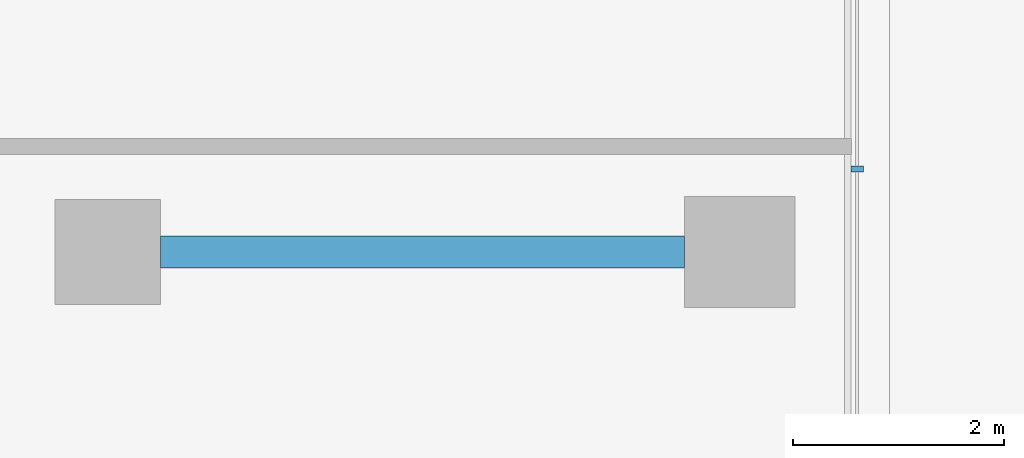
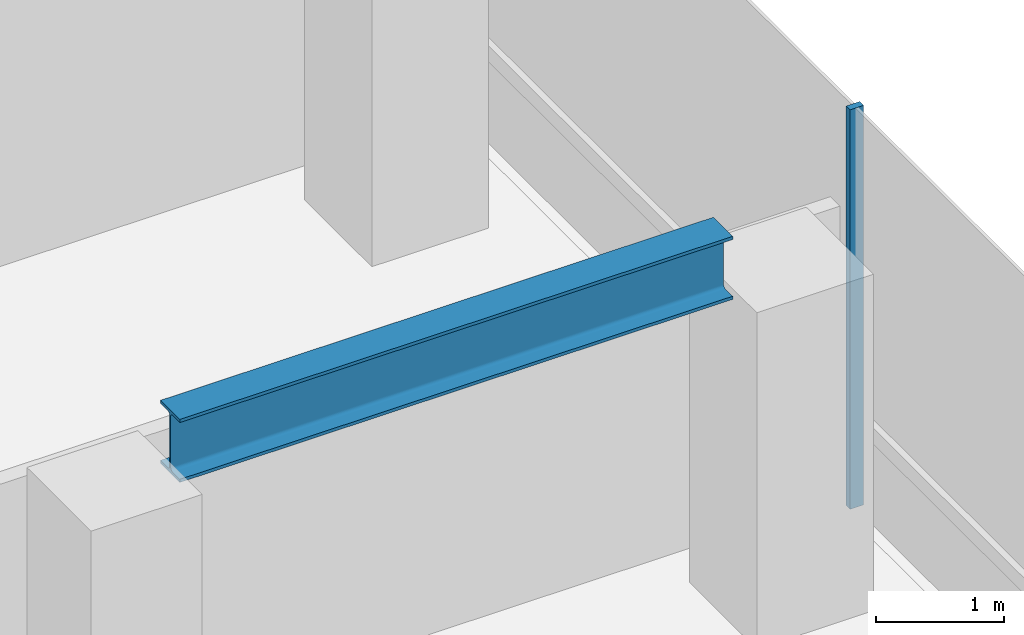
# One storey, part 16 of 30: 1 beam, 1 member, 1 element without a shape of its own.
"""IFC4 building model written with IfcOpenShell, lengths in metres."""

from ifc_helpers import new_model, si_unit, direction, frame, origin, origin_2d, place, context, subcontext, project, spatial, rectangle, i_section, extrude, material, layer, layer_set, material_profile, profile_set, type_object, element, aggregate, save


model = new_model("IFC4")

# Units and contexts
model_context = context("Model", 3, precision=1e-05, world=origin(), true_north=direction((0.0, 1.0)))
body_context = subcontext(model_context, "Body", "Model", "MODEL_VIEW")
ifc_project = project(units=[si_unit("LENGTHUNIT", "METRE"), si_unit("AREAUNIT", "SQUARE_METRE"), si_unit("VOLUMEUNIT", "CUBIC_METRE"), si_unit("PLANEANGLEUNIT", "RADIAN"), si_unit("MASSUNIT", "GRAM", prefix="KILO")], contexts=[model_context])

# Site, building, storey
site_placement = place(None, origin())
site = spatial("IfcSite", under=ifc_project, at=site_placement, CompositionType="ELEMENT")
building_placement = place(site_placement, origin())
building = spatial("IfcBuilding", under=site, at=building_placement, Name="Welwitschia Terrace Campus", CompositionType="ELEMENT")
storey_placement = place(building_placement, frame((0.0, 0.0, 75.199951171875)))
storey = spatial("IfcBuildingStorey", under=building, at=storey_placement, Name="L17", CompositionType="ELEMENT", Elevation=75.199951171875)

# Curtain wall, member
ifc_material_1 = material(Name="Bronze anodised aluminium", Category="aluminium")
ifc_layer = layer(ifc_material_1, 0.1201171875)
ifc_layer_set = layer_set([ifc_layer], Name="Bronze anodised aluminium")
curtain_wall_type = type_object("IfcCurtainWallType", Name="Curtain wall CW2 tower 6000", PredefinedType="NOTDEFINED", material=ifc_layer_set)
curtain_wall_placement = place(storey_placement, origin())
curtain_wall = element("IfcCurtainWall", 1, at=curtain_wall_placement, inside=storey, type_object=curtain_wall_type, Name="CW L17.12.0", PredefinedType="NOTDEFINED")
ifc_material_2 = material(Name="Bronze anodised aluminium", Category="aluminium")
ifc_material_profile_1 = material_profile(ifc_material_2, rectangle(XDim=0.1201171875, YDim=0.06005859375, at=origin_2d()))
ifc_profile_set_1 = profile_set([ifc_material_profile_1], Name="Bronze anodised aluminium")
member_type = type_object("IfcMemberType", Name="Mullion 60x120", PredefinedType="MULLION", material=ifc_profile_set_1)
member_placement = place(storey_placement, frame((25.114013671875, 44.78759765625, 0.0), z_axis=(0.0, 0.0, 1.0), x_axis=(-1.0, 0.0, 0.0)))
member = element("IfcMember", 2, at=member_placement, type_object=member_type, Name="Mullion L17.12.0.3", PredefinedType="MULLION", context=body_context, shape_type="SweptSolid", body=[
    extrude(rectangle(XDim=0.1201171875, YDim=0.06005859375, at=origin_2d()), origin(), (0.0, 0.0, 1.0), 3.800048828125),
])
aggregate(curtain_wall, [member])

# Beam
ifc_material_3 = material(Name="Steel S355", Category="steel")
ifc_material_profile_2 = material_profile(ifc_material_3, i_section(OverallWidth=0.300048828125, OverallDepth=0.60009765625, WebThickness=0.015380859375, FlangeThickness=0.030029296875, FilletRadius=0.027099609375, at=origin_2d()))
ifc_profile_set_2 = profile_set([ifc_material_profile_2], Name="Steel S355")
beam_type = type_object("IfcBeamType", Name="Primary beam HE 600 B", PredefinedType="BEAM", material=ifc_profile_set_2)
beam_placement = place(storey_placement, frame((23.474609375, 44.0, 3.400146484375), z_axis=(-1.0, 0.0, 0.0), x_axis=(0.0, -1.0, 0.0)))
element("IfcBeam", 3, at=beam_placement, inside=storey, type_object=beam_type, Name="Primary beam PB2", PredefinedType="BEAM", context=body_context, shape_type="SweptSolid", body=[
    extrude(i_section(OverallWidth=0.300048828125, OverallDepth=0.60009765625, WebThickness=0.015380859375, FlangeThickness=0.030029296875, FilletRadius=0.027099609375, at=origin_2d()), origin(), (0.0, 0.0, 1.0), 4.97412109375),
])

save(model, "model.ifc")
